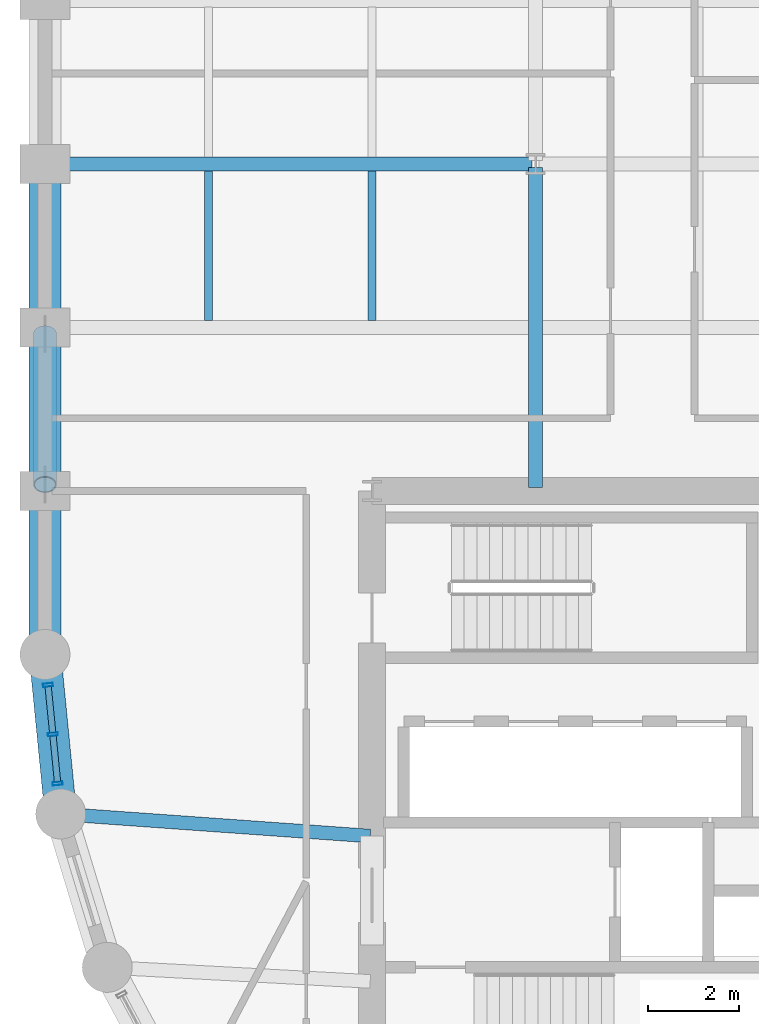
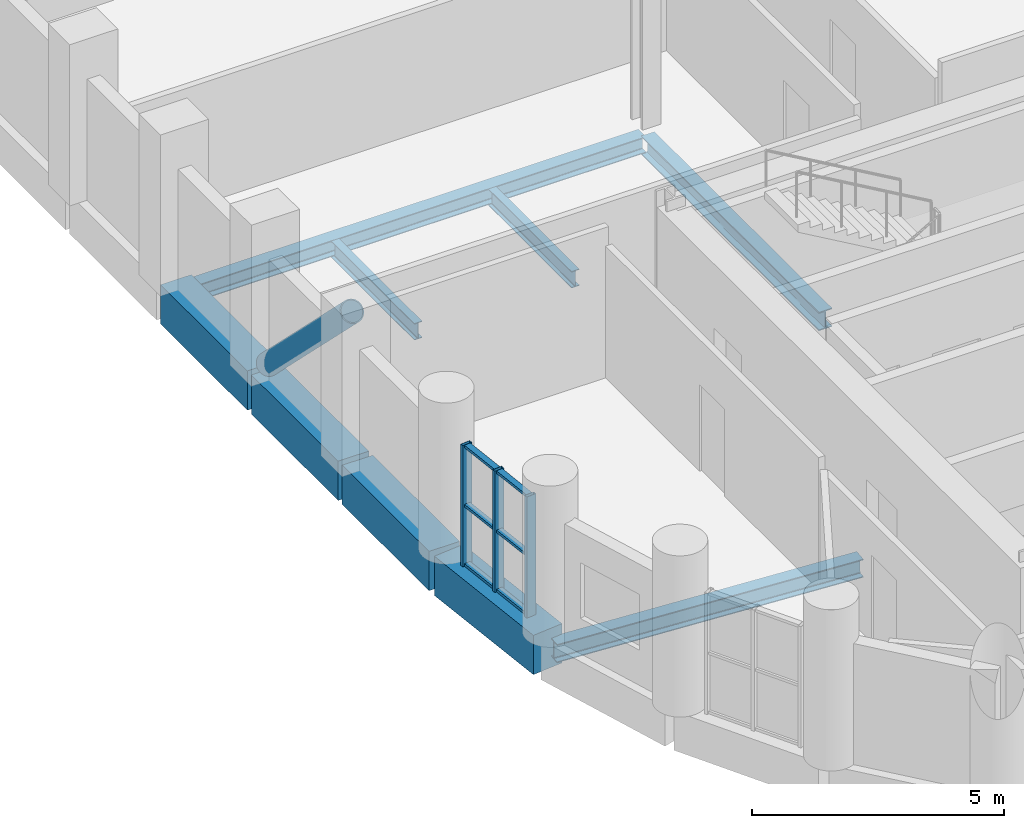
# One storey, part 4 of 11: 10 members, 9 beams, 1 element without a shape of its own.
"""IFC4 building model written with IfcOpenShell, lengths in metres."""

from ifc_helpers import new_model, si_unit, direction, frame, origin, origin_2d, place, context, subcontext, project, spatial, rectangle, hollow_rectangle, hollow_circle, i_section, extrude, material, layer, layer_set, material_profile, profile_set, type_object, element, aggregate, save


model = new_model("IFC4")

# Units and contexts
model_context = context("Model", 3, precision=1e-05, world=origin(), true_north=direction((0.0, 1.0)))
body_context = subcontext(model_context, "Body", "Model", "MODEL_VIEW")
ifc_project = project(units=[si_unit("LENGTHUNIT", "METRE"), si_unit("AREAUNIT", "SQUARE_METRE"), si_unit("VOLUMEUNIT", "CUBIC_METRE"), si_unit("PLANEANGLEUNIT", "RADIAN"), si_unit("MASSUNIT", "GRAM", prefix="KILO")], contexts=[model_context])

# Site, building, storey
site_placement = place(None, origin())
site = spatial("IfcSite", under=ifc_project, at=site_placement, CompositionType="ELEMENT")
building_placement = place(site_placement, origin())
building = spatial("IfcBuilding", under=site, at=building_placement, Name="Solnavia Interchange Tower", CompositionType="ELEMENT")
storey_placement = place(building_placement, frame((0.0, 0.0, 99.60009765625)))
storey = spatial("IfcBuildingStorey", under=building, at=storey_placement, Name="L24", CompositionType="ELEMENT", Elevation=99.60009765625)

# Beams
ifc_material_1 = material(Name="Steel S460", Category="steel")
ifc_material_profile_1 = material_profile(ifc_material_1, i_section(OverallWidth=0.300048828125, OverallDepth=0.449951171875, WebThickness=0.013916015625, FlangeThickness=0.02587890625, FilletRadius=0.027099609375, at=origin_2d()), Name="HEB 450")
ifc_profile_set_1 = profile_set([ifc_material_profile_1], Name="Steel S460")
beam_type_1 = type_object("IfcBeamType", Name="Beam-Girder-HEB450", PredefinedType="BEAM", material=ifc_profile_set_1)
beam_1_placement = place(storey_placement, frame((18.0, 25.280029296875, -0.47509765625), z_axis=(0.0, 1.0, 0.0), x_axis=(-1.0, 0.0, 0.0)))
element("IfcBeam", 1, at=beam_1_placement, inside=storey, type_object=beam_type_1, Name="GRD-L24-NS11 North wing spine girder", PredefinedType="BEAM", context=body_context, shape_type="SweptSolid", body=[
    extrude(i_section(OverallWidth=0.300048828125, OverallDepth=0.449951171875, WebThickness=0.013916015625, FlangeThickness=0.02587890625, FilletRadius=0.027099609375, at=origin_2d()), origin(), (0.0, 0.0, 1.0), 7.0400390625),
])
ifc_material_2 = material(Name="Steel S355", Category="steel")
ifc_material_profile_2 = material_profile(ifc_material_2, i_section(OverallWidth=0.179931640625, OverallDepth=0.39990234375, WebThickness=0.008544921875, FlangeThickness=0.013427734375, FilletRadius=0.02099609375, at=origin_2d()), Name="IPE 400")
ifc_profile_set_2 = profile_set([ifc_material_profile_2], Name="Steel S355")
beam_type_2 = type_object("IfcBeamType", Name="Beam-Joist-IPE400", PredefinedType="JOIST", material=ifc_profile_set_2)
for number, where, z_axis, x_axis, name in (
    (2, (10.800048828125, 28.949951171875, -0.4501953125), (0.0, 1.0, 0.0), (-1.0, 0.0, 0.0), "JST-L24-N17 North wing secondary joist"),
    (3, (14.39990234375, 28.949951171875, -0.4501953125), (0.0, 1.0, 0.0), (-1.0, 0.0, 0.0), "JST-L24-N20 North wing secondary joist"),
):
    element("IfcBeam", number, at=place(storey_placement, frame(where, z_axis=z_axis, x_axis=x_axis)), inside=storey, type_object=beam_type_2, Name=name, PredefinedType="JOIST", context=body_context, shape_type="SweptSolid", body=[
        extrude(i_section(OverallWidth=0.179931640625, OverallDepth=0.39990234375, WebThickness=0.008544921875, FlangeThickness=0.013427734375, FilletRadius=0.02099609375, at=origin_2d()), origin(), (0.0, 0.0, 1.0), 3.300048828125),
    ])
ifc_material_profile_3 = material_profile(ifc_material_2, i_section(OverallWidth=0.300048828125, OverallDepth=0.389892578125, WebThickness=0.010986328125, FlangeThickness=0.01904296875, FilletRadius=0.027099609375, at=origin_2d()), Name="HEA 400")
ifc_profile_set_3 = profile_set([ifc_material_profile_3], Name="Steel S355")
beam_type_3 = type_object("IfcBeamType", Name="Beam-Primary-HEA400", PredefinedType="BEAM", material=ifc_profile_set_3)
beam_2_placement = place(storey_placement, frame((7.280029296875, 32.39990234375, -0.445068359375), z_axis=(1.0, 0.0, 0.0), x_axis=(0.0, 1.0, 0.0)))
element("IfcBeam", 4, at=beam_2_placement, inside=storey, type_object=beam_type_3, Name="GRD-L24-NW15 North wing primary floor girder", PredefinedType="BEAM", context=body_context, shape_type="SweptSolid", body=[
    extrude(i_section(OverallWidth=0.300048828125, OverallDepth=0.389892578125, WebThickness=0.010986328125, FlangeThickness=0.01904296875, FilletRadius=0.027099609375, at=origin_2d()), origin(), (0.0, 0.0, 1.0), 10.639892578125),
])
ifc_material_profile_4 = material_profile(ifc_material_2, i_section(OverallWidth=0.300048828125, OverallDepth=0.43994140625, WebThickness=0.011474609375, FlangeThickness=0.02099609375, FilletRadius=0.027099609375, at=origin_2d()), Name="HEA 450")
ifc_profile_set_4 = profile_set([ifc_material_profile_4], Name="Steel S355")
beam_type_4 = type_object("IfcBeamType", Name="Beam-Primary-HEA450", PredefinedType="BEAM", material=ifc_profile_set_4)
beam_3_placement = place(storey_placement, frame((7.625732421875, 18.082275390625, -0.47021484375), z_axis=(0.99747482749, -0.071020902015, 0.0), x_axis=(0.071020902015, 0.99747482749, 0.0)))
element("IfcBeam", 5, at=beam_3_placement, inside=storey, type_object=beam_type_4, Name="GRD-L24-DR20 Drum radial floor girder", PredefinedType="BEAM", context=body_context, shape_type="SweptSolid", body=[
    extrude(i_section(OverallWidth=0.300048828125, OverallDepth=0.43994140625, WebThickness=0.011474609375, FlangeThickness=0.02099609375, FilletRadius=0.027099609375, at=origin_2d()), origin(), (0.0, 0.0, 1.0), 6.75146484375),
])
ifc_material_3 = material(Name="Concrete C50/60", Category="concrete")
ifc_material_profile_5 = material_profile(ifc_material_3, rectangle(XDim=0.699951171875, YDim=0.949951171875, at=origin_2d()), Name="RC 700x950")
ifc_profile_set_5 = profile_set([ifc_material_profile_5], Name="Concrete C50/60")
beam_type_5 = type_object("IfcBeamType", Name="Beam-Spandrel-RC700x950", PredefinedType="SPANDREL", material=ifc_profile_set_5)
beam_4_placement = place(storey_placement, frame((7.207763671875, 21.5205078125, -0.47509765625), z_axis=(0.098040038117, -0.995182471171, 0.0), x_axis=(0.995182471171, 0.098040038117, 0.0)))
element("IfcBeam", 6, at=beam_4_placement, inside=storey, type_object=beam_type_5, Name="SPB-L24-01 Framed-tube perimeter spandrel beam", PredefinedType="SPANDREL", context=body_context, shape_type="SweptSolid", body=[
    extrude(rectangle(XDim=0.699951171875, YDim=0.949951171875, at=origin_2d()), origin(), (0.0, 0.0, 1.0), 3.369140625),
])
beam_5_placement = place(storey_placement, frame((7.199951171875, 32.320068359375, -0.47509765625), z_axis=(0.0, -1.0, 0.0), x_axis=(1.0, 0.0, 0.0)))
element("IfcBeam", 7, at=beam_5_placement, inside=storey, type_object=beam_type_5, Name="SPB-L24-38 Framed-tube perimeter spandrel beam", PredefinedType="SPANDREL", context=body_context, shape_type="SweptSolid", body=[
    extrude(rectangle(XDim=0.699951171875, YDim=0.949951171875, at=origin_2d()), origin(), (0.0, 0.0, 1.0), 3.440185546875),
])
beam_6_placement = place(storey_placement, frame((7.199951171875, 28.719970703125, -0.47509765625), z_axis=(0.0, -1.0, 0.0), x_axis=(1.0, 0.0, 0.0)))
element("IfcBeam", 8, at=beam_6_placement, inside=storey, type_object=beam_type_5, Name="SPB-L24-39 Framed-tube perimeter spandrel beam", PredefinedType="SPANDREL", context=body_context, shape_type="SweptSolid", body=[
    extrude(rectangle(XDim=0.699951171875, YDim=0.949951171875, at=origin_2d()), origin(), (0.0, 0.0, 1.0), 3.43994140625),
])
beam_7_placement = place(storey_placement, frame((7.199951171875, 25.1201171875, -0.47509765625), z_axis=(0.0, -1.0, 0.0), x_axis=(1.0, 0.0, 0.0)))
element("IfcBeam", 9, at=beam_7_placement, inside=storey, type_object=beam_type_5, Name="SPB-L24-40 Framed-tube perimeter spandrel beam", PredefinedType="SPANDREL", context=body_context, shape_type="SweptSolid", body=[
    extrude(rectangle(XDim=0.699951171875, YDim=0.949951171875, at=origin_2d()), origin(), (0.0, 0.0, 1.0), 3.440185546875),
])

# Member
ifc_material_profile_6 = material_profile(ifc_material_1, hollow_circle(Radius=0.25390625, WallThickness=0.02490234375, at=origin_2d()), Name="CHS 508x25")
ifc_profile_set_6 = profile_set([ifc_material_profile_6], Name="Steel S460")
member_type_1 = type_object("IfcMemberType", Name="Brace-Perim-CHS508", PredefinedType="BRACE", material=ifc_profile_set_6)
member_1_placement = place(storey_placement, frame((7.199951171875, 28.659912109375, 0.179931640625), z_axis=(0.0, -0.710285911997, 0.703913292401), x_axis=(1.0, 0.0, 0.0)))
element("IfcMember", 10, at=member_1_placement, inside=storey, type_object=member_type_1, Name="BRC-L24-01 Perimeter tube diagonal brace", PredefinedType="BRACE", context=body_context, shape_type="SweptSolid", body=[
    extrude(hollow_circle(Radius=0.25390625, WallThickness=0.02490234375, at=origin_2d()), origin(), (0.0, 0.0, 1.0), 4.673828125),
])

# Curtain wall, members
ifc_material_4 = material(Name="Aluminium Alloy 6063-T6", Category="aluminium")
ifc_layer = layer(ifc_material_4, 0.239990234375)
ifc_layer_set = layer_set([ifc_layer], Name="Aluminium Alloy 6063-T6")
curtain_wall_type = type_object("IfcCurtainWallType", Name="CurtainWall-Drum-CTW2", PredefinedType="NOTDEFINED", material=ifc_layer_set)
curtain_wall_placement = place(storey_placement, origin())
curtain_wall = element("IfcCurtainWall", 11, at=curtain_wall_placement, inside=storey, type_object=curtain_wall_type, Name="CTW-L24-D53 CTW-2 curtain wall", PredefinedType="NOTDEFINED")
ifc_material_profile_7 = material_profile(ifc_material_4, hollow_rectangle(XDim=0.074951171875, YDim=0.219970703125, WallThickness=0.0048828125, at=origin_2d()), Name="ALU 220x75x5")
ifc_profile_set_7 = profile_set([ifc_material_profile_7], Name="Aluminium Alloy 6063-T6")
member_type_2 = type_object("IfcMemberType", Name="CW-Mullion-CWM-2", PredefinedType="MULLION", material=ifc_profile_set_7)
member_2_placement = place(storey_placement, frame((7.26611328125, 20.92822265625, 0.0), z_axis=(0.0, 0.0, 1.0), x_axis=(0.098045297616, -0.995181953019, 0.0)))
member_2 = element("IfcMember", 12, at=member_2_placement, type_object=member_type_2, Name="CTW-2 mullion 1", PredefinedType="MULLION", context=body_context, shape_type="SweptSolid", body=[
    extrude(hollow_rectangle(XDim=0.074951171875, YDim=0.219970703125, WallThickness=0.0048828125, at=origin_2d()), origin(), (0.0, 0.0, 1.0), 2.929931640625),
])
member_3_placement = place(storey_placement, frame((7.373046875, 19.843994140625, 0.0), z_axis=(0.0, 0.0, 1.0), x_axis=(0.098045297616, -0.995181953019, 0.0)))
member_3 = element("IfcMember", 13, at=member_3_placement, type_object=member_type_2, Name="CTW-2 mullion 2", PredefinedType="MULLION", context=body_context, shape_type="SweptSolid", body=[
    extrude(hollow_rectangle(XDim=0.074951171875, YDim=0.219970703125, WallThickness=0.0048828125, at=origin_2d()), origin(), (0.0, 0.0, 1.0), 2.929931640625),
])
member_4_placement = place(storey_placement, frame((7.479736328125, 18.759765625, 0.0), z_axis=(0.0, 0.0, 1.0), x_axis=(0.098045297616, -0.995181953019, 0.0)))
member_4 = element("IfcMember", 14, at=member_4_placement, type_object=member_type_2, Name="CTW-2 mullion 3", PredefinedType="MULLION", context=body_context, shape_type="SweptSolid", body=[
    extrude(hollow_rectangle(XDim=0.074951171875, YDim=0.219970703125, WallThickness=0.0048828125, at=origin_2d()), origin(), (0.0, 0.0, 1.0), 2.929931640625),
])
ifc_material_profile_8 = material_profile(ifc_material_4, hollow_rectangle(XDim=0.06494140625, YDim=0.139892578125, WallThickness=0.00390625, at=origin_2d()), Name="ALU 140x65x4")
ifc_profile_set_8 = profile_set([ifc_material_profile_8], Name="Aluminium Alloy 6063-T6")
member_type_3 = type_object("IfcMemberType", Name="CW-Transom-CWT-2", PredefinedType="USERDEFINED", material=ifc_profile_set_8)
member_5_placement = place(storey_placement, frame((7.269775390625, 20.890869140625, 0.032470703125), z_axis=(0.098193057541, -0.99516738464, 0.0), x_axis=(0.0, 0.0, 1.0)))
member_5 = element("IfcMember", 15, at=member_5_placement, type_object=member_type_3, Name="CTW-2 transom 1.1", ObjectType="TRANSOM", PredefinedType="USERDEFINED", context=body_context, shape_type="SweptSolid", body=[
    extrude(hollow_rectangle(XDim=0.06494140625, YDim=0.139892578125, WallThickness=0.00390625, at=origin_2d()), origin(), (0.0, 0.0, 1.0), 1.014404296875),
])
member_6_placement = place(storey_placement, frame((7.269775390625, 20.890869140625, 1.46484375), z_axis=(0.098193057541, -0.99516738464, 0.0), x_axis=(0.0, 0.0, 1.0)))
member_6 = element("IfcMember", 16, at=member_6_placement, type_object=member_type_3, Name="CTW-2 transom 1.2", ObjectType="TRANSOM", PredefinedType="USERDEFINED", context=body_context, shape_type="SweptSolid", body=[
    extrude(hollow_rectangle(XDim=0.06494140625, YDim=0.139892578125, WallThickness=0.00390625, at=origin_2d()), origin(), (0.0, 0.0, 1.0), 1.014404296875),
])
member_7_placement = place(storey_placement, frame((7.269775390625, 20.890869140625, 2.8974609375), z_axis=(0.098193057541, -0.99516738464, 0.0), x_axis=(0.0, 0.0, 1.0)))
member_7 = element("IfcMember", 17, at=member_7_placement, type_object=member_type_3, Name="CTW-2 transom 1.3", ObjectType="TRANSOM", PredefinedType="USERDEFINED", context=body_context, shape_type="SweptSolid", body=[
    extrude(hollow_rectangle(XDim=0.06494140625, YDim=0.139892578125, WallThickness=0.00390625, at=origin_2d()), origin(), (0.0, 0.0, 1.0), 1.014404296875),
])
member_8_placement = place(storey_placement, frame((7.376708984375, 19.806640625, 0.032470703125), z_axis=(0.097954700343, -0.995190874496, 0.0), x_axis=(0.0, 0.0, 1.0)))
member_8 = element("IfcMember", 18, at=member_8_placement, type_object=member_type_3, Name="CTW-2 transom 2.1", ObjectType="TRANSOM", PredefinedType="USERDEFINED", context=body_context, shape_type="SweptSolid", body=[
    extrude(hollow_rectangle(XDim=0.06494140625, YDim=0.139892578125, WallThickness=0.00390625, at=origin_2d()), origin(), (0.0, 0.0, 1.0), 1.014404296875),
])
member_9_placement = place(storey_placement, frame((7.376708984375, 19.806640625, 1.46484375), z_axis=(0.097954700343, -0.995190874496, 0.0), x_axis=(0.0, 0.0, 1.0)))
member_9 = element("IfcMember", 19, at=member_9_placement, type_object=member_type_3, Name="CTW-2 transom 2.2", ObjectType="TRANSOM", PredefinedType="USERDEFINED", context=body_context, shape_type="SweptSolid", body=[
    extrude(hollow_rectangle(XDim=0.06494140625, YDim=0.139892578125, WallThickness=0.00390625, at=origin_2d()), origin(), (0.0, 0.0, 1.0), 1.014404296875),
])
member_10_placement = place(storey_placement, frame((7.376708984375, 19.806640625, 2.8974609375), z_axis=(0.097954700343, -0.995190874496, 0.0), x_axis=(0.0, 0.0, 1.0)))
member_10 = element("IfcMember", 20, at=member_10_placement, type_object=member_type_3, Name="CTW-2 transom 2.3", ObjectType="TRANSOM", PredefinedType="USERDEFINED", context=body_context, shape_type="SweptSolid", body=[
    extrude(hollow_rectangle(XDim=0.06494140625, YDim=0.139892578125, WallThickness=0.00390625, at=origin_2d()), origin(), (0.0, 0.0, 1.0), 1.014404296875),
])
aggregate(curtain_wall, [member_2, member_3, member_4, member_5, member_6, member_7, member_8, member_9, member_10])

save(model, "model.ifc")
